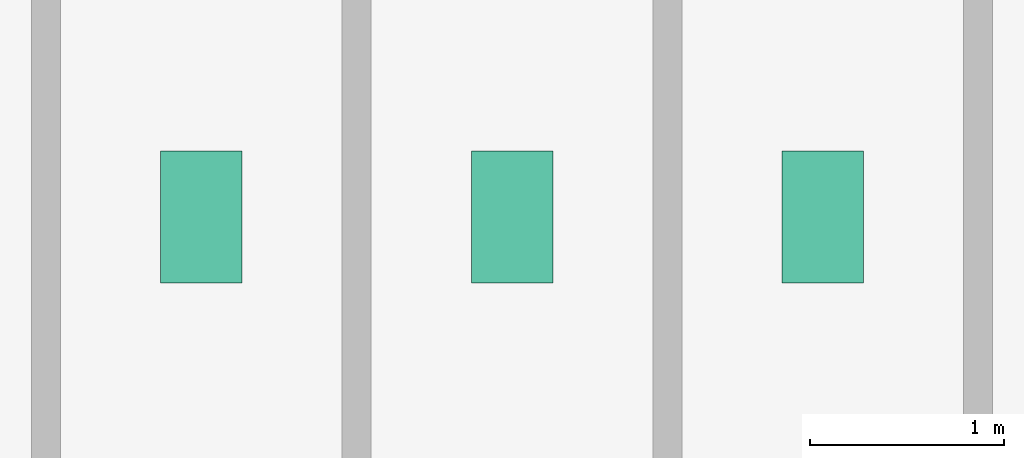
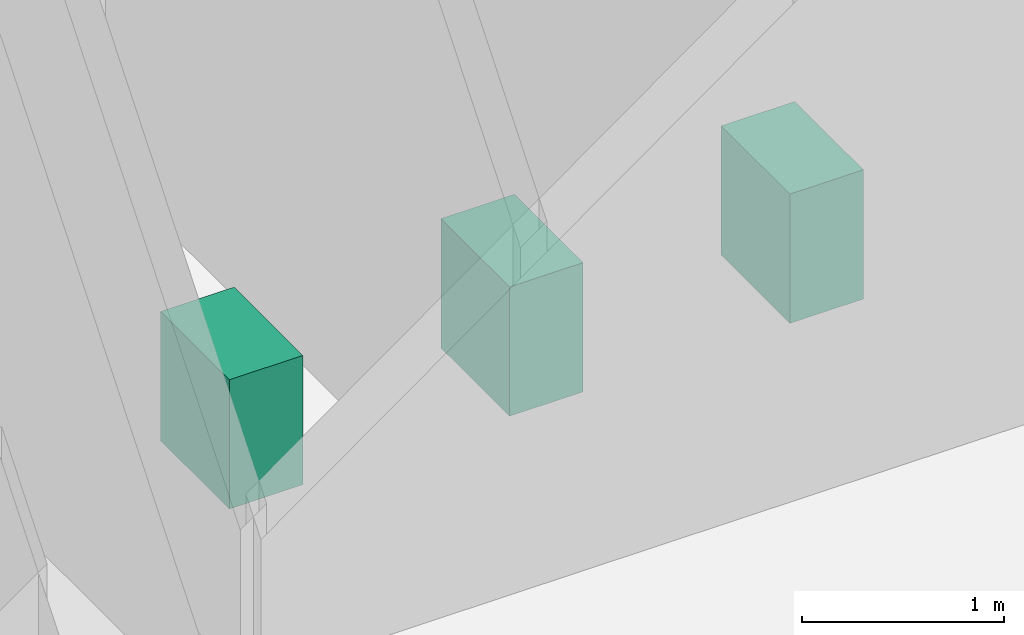
# One storey, part 22 of 22: 3 sanitary terminals.
"""IFC4 building model written with IfcOpenShell, lengths in metres."""

from ifc_helpers import new_model, si_unit, derived_unit, direction, frame, origin, origin_2d, place, context, subcontext, project, spatial, rectangle, extrude, source, transform, mapped, material, type_object, element, save


model = new_model("IFC4")

# Units and contexts
model_context = context("Model", 3, precision=1e-05, world=origin(), true_north=direction((0.0, 1.0)))
body_context = subcontext(model_context, "Body", "Model", "MODEL_VIEW")
ifc_project = project(units=[si_unit("LENGTHUNIT", "METRE"), si_unit("AREAUNIT", "SQUARE_METRE"), si_unit("VOLUMEUNIT", "CUBIC_METRE"), si_unit("PLANEANGLEUNIT", "RADIAN"), si_unit("MASSUNIT", "GRAM", prefix="KILO"), derived_unit("THERMALTRANSMITTANCEUNIT", [(si_unit("POWERUNIT", "WATT"), 1), (si_unit("LENGTHUNIT", "METRE"), -2), (si_unit("THERMODYNAMICTEMPERATUREUNIT", "KELVIN"), -1)])], contexts=[model_context])

# Site, building, storey
site_placement = place(None, origin())
site = spatial("IfcSite", under=ifc_project, at=site_placement, CompositionType="ELEMENT")
building_placement = place(site_placement, origin())
building = spatial("IfcBuilding", under=site, at=building_placement, Name="Skarnbrae Concourse Arena and Tower", CompositionType="ELEMENT")
storey_placement = place(building_placement, frame((0.0, 0.0, 225.10009765625)))
storey = spatial("IfcBuildingStorey", under=building, at=storey_placement, Name="L58", CompositionType="ELEMENT", Elevation=225.10009765625)

# Sanitary terminals
ifc_material = material(Name="Vitreous china sanitaryware", Category="other")
sanitary_terminal_type = type_object("IfcSanitaryTerminalType", Name="SAN-WC-VITREOUS", PredefinedType="TOILETPAN", material=ifc_material)
shared_shape = source(origin(), body_context, "Body", "SweptSolid", [
    extrude(rectangle(XDim=0.419921875, YDim=0.679931640625, at=origin_2d()), origin(), (0.0, 0.0, 1.0), 0.780029296875),
])
for number, where, z_axis, x_axis, name in (
    (1, (35.0, 11.39990234375, 0.0), (0.0, 0.0, 1.0), (1.0, 0.0, 0.0), "L58 Washroom WC fixture 1"),
    (2, (36.60009765625, 11.39990234375, 0.0), (0.0, 0.0, 1.0), (1.0, 0.0, 0.0), "L58 Washroom WC fixture 2"),
    (3, (38.199951171875, 11.39990234375, 0.0), (0.0, 0.0, 1.0), (1.0, 0.0, 0.0), "L58 Washroom WC fixture 3"),
):
    element("IfcSanitaryTerminal", number, at=place(storey_placement, frame(where, z_axis=z_axis, x_axis=x_axis)), inside=storey, type_object=sanitary_terminal_type, Name=name, PredefinedType="TOILETPAN", context=body_context, shape_type="MappedRepresentation", body=[
        mapped(shared_shape, transform((0.0, 0.0, 0.0))),
    ])

save(model, "model.ifc")
